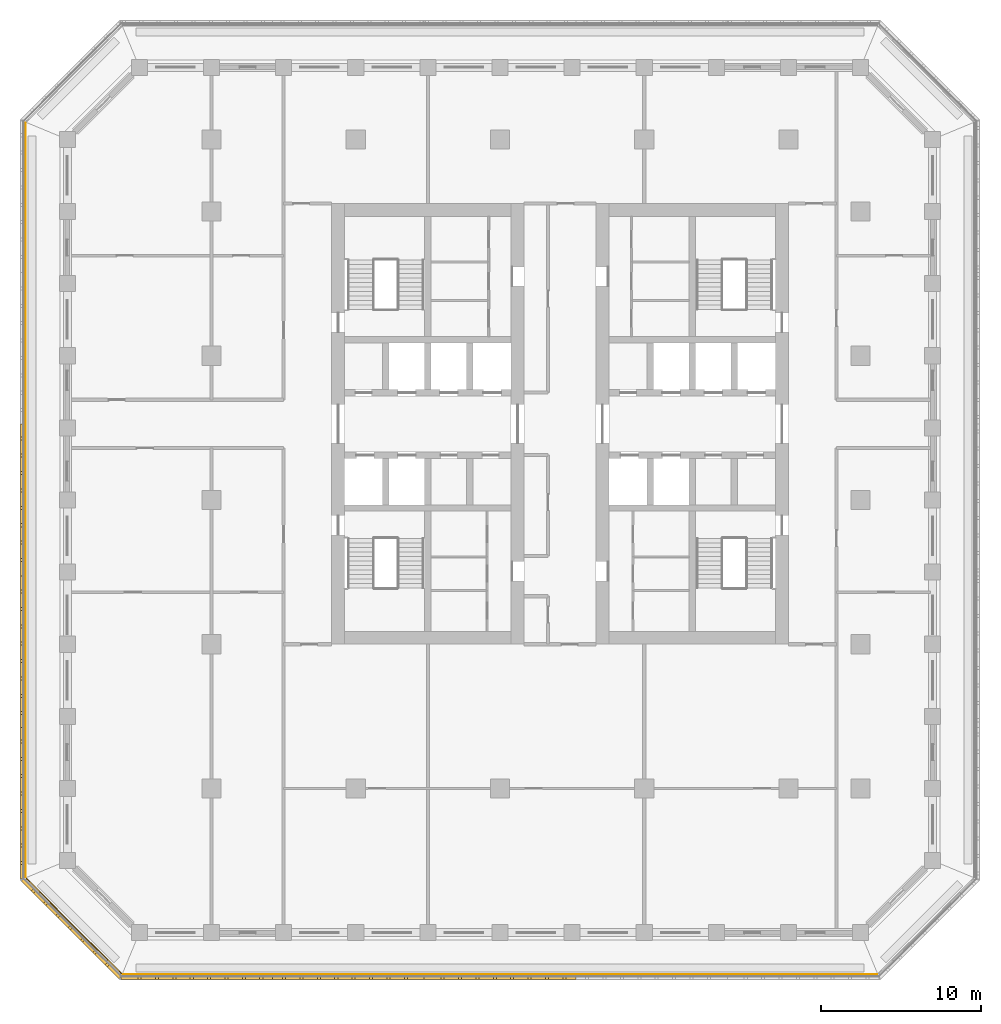
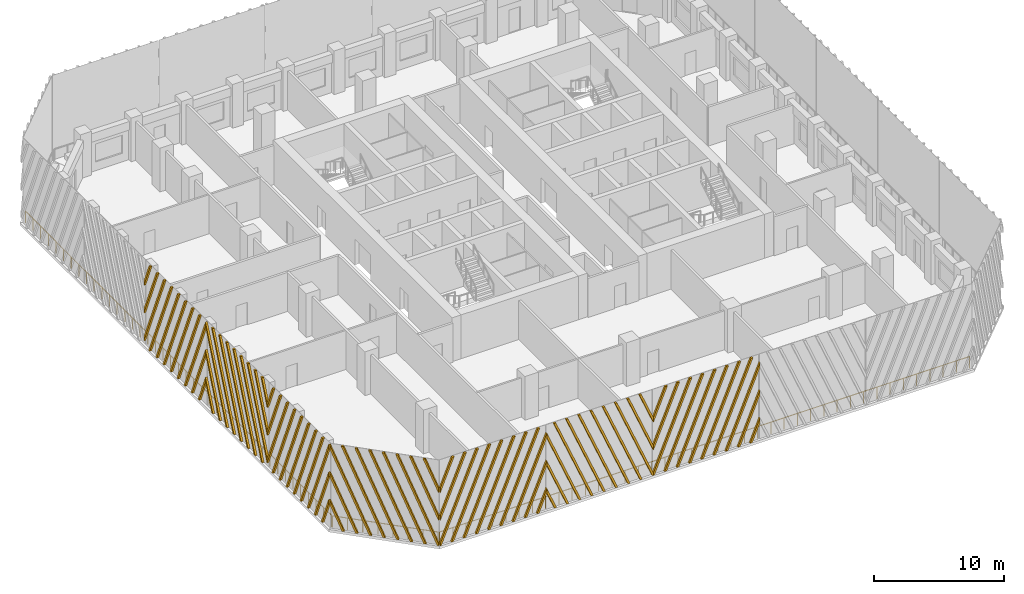
# One storey, part 9 of 16: 7 shading devices, 3 railings.
"""IFC4 building model written with IfcOpenShell, lengths in metres."""

from ifc_helpers import new_model, si_unit, direction, frame, origin, origin_2d, place, context, subcontext, project, spatial, polyline, circle, outline, extrude, source, transform, mapped, material, type_object, element, save


model = new_model("IFC4")

# Units and contexts
model_context = context("Model", 3, precision=1e-05, world=origin(), true_north=direction((0.0, 1.0)))
body_context = subcontext(model_context, "Body", "Model", "MODEL_VIEW")
ifc_project = project(units=[si_unit("LENGTHUNIT", "METRE"), si_unit("AREAUNIT", "SQUARE_METRE"), si_unit("VOLUMEUNIT", "CUBIC_METRE"), si_unit("PLANEANGLEUNIT", "RADIAN"), si_unit("MASSUNIT", "GRAM", prefix="KILO")], contexts=[model_context])

# Site, building, storey
site_placement = place(None, origin())
site = spatial("IfcSite", under=ifc_project, at=site_placement, CompositionType="ELEMENT")
building_placement = place(site_placement, origin())
building = spatial("IfcBuilding", under=site, at=building_placement, Name="Corbel Stack Research Tower", CompositionType="ELEMENT")
storey_placement = place(building_placement, frame((0.0, 0.0, 165.0)))
storey = spatial("IfcBuildingStorey", under=building, at=storey_placement, Name="L37", CompositionType="ELEMENT", Elevation=165.0)

# Railings
ifc_material_1 = material(Name="Powder-coated steel guard", Category="steel")
railing_type = type_object("IfcRailingType", Name="Steel and glass guard 1100", PredefinedType="GUARDRAIL", material=ifc_material_1)
railing_1_placement = place(storey_placement, frame((-23.50537109375, -29.60009765625, 0.0)))
element("IfcRailing", 1, at=railing_1_placement, inside=storey, type_object=railing_type, Name="Loggia guard L37 S", PredefinedType="GUARDRAIL", context=body_context, shape_type="SweptSolid", body=[
    extrude(circle(Radius=0.02392578125, at=origin_2d()), frame((0.0, 0.0, 1.076171875), z_axis=(1.0, 0.0, 0.0), x_axis=(0.0, 1.0, 0.0)), (0.0, 0.0, 1.0), 47.0107421875),
    extrude(circle(Radius=0.02099609375, at=origin_2d()), origin(), (0.0, 0.0, 1.0), 1.052001953125),
    extrude(circle(Radius=0.02099609375, at=origin_2d()), frame((1.17529296875, 0.0, 0.0)), (0.0, 0.0, 1.0), 1.052001953125),
    extrude(circle(Radius=0.02099609375, at=origin_2d()), frame((2.3505859375, 0.0, 0.0)), (0.0, 0.0, 1.0), 1.052001953125),
    extrude(circle(Radius=0.02099609375, at=origin_2d()), frame((3.52587890625, 0.0, 0.0)), (0.0, 0.0, 1.0), 1.052001953125),
    extrude(circle(Radius=0.02099609375, at=origin_2d()), frame((4.701171875, 0.0, 0.0)), (0.0, 0.0, 1.0), 1.052001953125),
    extrude(circle(Radius=0.02099609375, at=origin_2d()), frame((5.87646484375, 0.0, 0.0)), (0.0, 0.0, 1.0), 1.052001953125),
    extrude(circle(Radius=0.02099609375, at=origin_2d()), frame((7.051513671875, 0.0, 0.0)), (0.0, 0.0, 1.0), 1.052001953125),
    extrude(circle(Radius=0.02099609375, at=origin_2d()), frame((8.226806640625, 0.0, 0.0)), (0.0, 0.0, 1.0), 1.052001953125),
    extrude(circle(Radius=0.02099609375, at=origin_2d()), frame((9.402099609375, 0.0, 0.0)), (0.0, 0.0, 1.0), 1.052001953125),
    extrude(circle(Radius=0.02099609375, at=origin_2d()), frame((10.577392578125, 0.0, 0.0)), (0.0, 0.0, 1.0), 1.052001953125),
    extrude(circle(Radius=0.02099609375, at=origin_2d()), frame((11.752685546875, 0.0, 0.0)), (0.0, 0.0, 1.0), 1.052001953125),
    extrude(circle(Radius=0.02099609375, at=origin_2d()), frame((12.927978515625, 0.0, 0.0)), (0.0, 0.0, 1.0), 1.052001953125),
    extrude(circle(Radius=0.02099609375, at=origin_2d()), frame((14.103271484375, 0.0, 0.0)), (0.0, 0.0, 1.0), 1.052001953125),
    extrude(circle(Radius=0.02099609375, at=origin_2d()), frame((15.278564453125, 0.0, 0.0)), (0.0, 0.0, 1.0), 1.052001953125),
    extrude(circle(Radius=0.02099609375, at=origin_2d()), frame((16.453857421875, 0.0, 0.0)), (0.0, 0.0, 1.0), 1.052001953125),
    extrude(circle(Radius=0.02099609375, at=origin_2d()), frame((17.62890625, 0.0, 0.0)), (0.0, 0.0, 1.0), 1.052001953125),
    extrude(circle(Radius=0.02099609375, at=origin_2d()), frame((18.80419921875, 0.0, 0.0)), (0.0, 0.0, 1.0), 1.052001953125),
    extrude(circle(Radius=0.02099609375, at=origin_2d()), frame((19.9794921875, 0.0, 0.0)), (0.0, 0.0, 1.0), 1.052001953125),
    extrude(circle(Radius=0.02099609375, at=origin_2d()), frame((21.15478515625, 0.0, 0.0)), (0.0, 0.0, 1.0), 1.052001953125),
    extrude(circle(Radius=0.02099609375, at=origin_2d()), frame((22.330078125, 0.0, 0.0)), (0.0, 0.0, 1.0), 1.052001953125),
    extrude(circle(Radius=0.02099609375, at=origin_2d()), frame((23.50537109375, 0.0, 0.0)), (0.0, 0.0, 1.0), 1.052001953125),
    extrude(circle(Radius=0.02099609375, at=origin_2d()), frame((24.6806640625, 0.0, 0.0)), (0.0, 0.0, 1.0), 1.052001953125),
    extrude(circle(Radius=0.02099609375, at=origin_2d()), frame((25.85595703125, 0.0, 0.0)), (0.0, 0.0, 1.0), 1.052001953125),
    extrude(circle(Radius=0.02099609375, at=origin_2d()), frame((27.03125, 0.0, 0.0)), (0.0, 0.0, 1.0), 1.052001953125),
    extrude(circle(Radius=0.02099609375, at=origin_2d()), frame((28.20654296875, 0.0, 0.0)), (0.0, 0.0, 1.0), 1.052001953125),
    extrude(circle(Radius=0.02099609375, at=origin_2d()), frame((29.3818359375, 0.0, 0.0)), (0.0, 0.0, 1.0), 1.052001953125),
    extrude(circle(Radius=0.02099609375, at=origin_2d()), frame((30.556884765625, 0.0, 0.0)), (0.0, 0.0, 1.0), 1.052001953125),
    extrude(circle(Radius=0.02099609375, at=origin_2d()), frame((31.732177734375, 0.0, 0.0)), (0.0, 0.0, 1.0), 1.052001953125),
    extrude(circle(Radius=0.02099609375, at=origin_2d()), frame((32.907470703125, 0.0, 0.0)), (0.0, 0.0, 1.0), 1.052001953125),
    extrude(circle(Radius=0.02099609375, at=origin_2d()), frame((34.082763671875, 0.0, 0.0)), (0.0, 0.0, 1.0), 1.052001953125),
    extrude(circle(Radius=0.02099609375, at=origin_2d()), frame((35.258056640625, 0.0, 0.0)), (0.0, 0.0, 1.0), 1.052001953125),
    extrude(circle(Radius=0.02099609375, at=origin_2d()), frame((36.433349609375, 0.0, 0.0)), (0.0, 0.0, 1.0), 1.052001953125),
    extrude(circle(Radius=0.02099609375, at=origin_2d()), frame((37.608642578125, 0.0, 0.0)), (0.0, 0.0, 1.0), 1.052001953125),
    extrude(circle(Radius=0.02099609375, at=origin_2d()), frame((38.783935546875, 0.0, 0.0)), (0.0, 0.0, 1.0), 1.052001953125),
    extrude(circle(Radius=0.02099609375, at=origin_2d()), frame((39.959228515625, 0.0, 0.0)), (0.0, 0.0, 1.0), 1.052001953125),
    extrude(circle(Radius=0.02099609375, at=origin_2d()), frame((41.13427734375, 0.0, 0.0)), (0.0, 0.0, 1.0), 1.052001953125),
    extrude(circle(Radius=0.02099609375, at=origin_2d()), frame((42.3095703125, 0.0, 0.0)), (0.0, 0.0, 1.0), 1.052001953125),
    extrude(circle(Radius=0.02099609375, at=origin_2d()), frame((43.48486328125, 0.0, 0.0)), (0.0, 0.0, 1.0), 1.052001953125),
    extrude(circle(Radius=0.02099609375, at=origin_2d()), frame((44.66015625, 0.0, 0.0)), (0.0, 0.0, 1.0), 1.052001953125),
    extrude(circle(Radius=0.02099609375, at=origin_2d()), frame((45.83544921875, 0.0, 0.0)), (0.0, 0.0, 1.0), 1.052001953125),
    extrude(circle(Radius=0.02099609375, at=origin_2d()), frame((47.0107421875, 0.0, 0.0)), (0.0, 0.0, 1.0), 1.052001953125),
])
railing_2_placement = place(storey_placement, frame((-29.60009765625, 23.50537109375, 0.0)))
element("IfcRailing", 2, at=railing_2_placement, inside=storey, type_object=railing_type, Name="Loggia guard L37 W", PredefinedType="GUARDRAIL", context=body_context, shape_type="SweptSolid", body=[
    extrude(circle(Radius=0.02392578125, at=origin_2d()), frame((0.0, 0.0, 1.076171875), z_axis=(0.0, -1.0, 0.0), x_axis=(1.0, 0.0, 0.0)), (0.0, 0.0, 1.0), 47.0107421875),
    extrude(circle(Radius=0.02099609375, at=origin_2d()), origin(), (0.0, 0.0, 1.0), 1.052001953125),
    extrude(circle(Radius=0.02099609375, at=origin_2d()), frame((0.0, -1.17529296875, 0.0)), (0.0, 0.0, 1.0), 1.052001953125),
    extrude(circle(Radius=0.02099609375, at=origin_2d()), frame((0.0, -2.3505859375, 0.0)), (0.0, 0.0, 1.0), 1.052001953125),
    extrude(circle(Radius=0.02099609375, at=origin_2d()), frame((0.0, -3.52587890625, 0.0)), (0.0, 0.0, 1.0), 1.052001953125),
    extrude(circle(Radius=0.02099609375, at=origin_2d()), frame((0.0, -4.701171875, 0.0)), (0.0, 0.0, 1.0), 1.052001953125),
    extrude(circle(Radius=0.02099609375, at=origin_2d()), frame((0.0, -5.87646484375, 0.0)), (0.0, 0.0, 1.0), 1.052001953125),
    extrude(circle(Radius=0.02099609375, at=origin_2d()), frame((0.0, -7.051513671875, 0.0)), (0.0, 0.0, 1.0), 1.052001953125),
    extrude(circle(Radius=0.02099609375, at=origin_2d()), frame((0.0, -8.226806640625, 0.0)), (0.0, 0.0, 1.0), 1.052001953125),
    extrude(circle(Radius=0.02099609375, at=origin_2d()), frame((0.0, -9.402099609375, 0.0)), (0.0, 0.0, 1.0), 1.052001953125),
    extrude(circle(Radius=0.02099609375, at=origin_2d()), frame((0.0, -10.577392578125, 0.0)), (0.0, 0.0, 1.0), 1.052001953125),
    extrude(circle(Radius=0.02099609375, at=origin_2d()), frame((0.0, -11.752685546875, 0.0)), (0.0, 0.0, 1.0), 1.052001953125),
    extrude(circle(Radius=0.02099609375, at=origin_2d()), frame((0.0, -12.927978515625, 0.0)), (0.0, 0.0, 1.0), 1.052001953125),
    extrude(circle(Radius=0.02099609375, at=origin_2d()), frame((0.0, -14.103271484375, 0.0)), (0.0, 0.0, 1.0), 1.052001953125),
    extrude(circle(Radius=0.02099609375, at=origin_2d()), frame((0.0, -15.278564453125, 0.0)), (0.0, 0.0, 1.0), 1.052001953125),
    extrude(circle(Radius=0.02099609375, at=origin_2d()), frame((0.0, -16.453857421875, 0.0)), (0.0, 0.0, 1.0), 1.052001953125),
    extrude(circle(Radius=0.02099609375, at=origin_2d()), frame((0.0, -17.62890625, 0.0)), (0.0, 0.0, 1.0), 1.052001953125),
    extrude(circle(Radius=0.02099609375, at=origin_2d()), frame((0.0, -18.80419921875, 0.0)), (0.0, 0.0, 1.0), 1.052001953125),
    extrude(circle(Radius=0.02099609375, at=origin_2d()), frame((0.0, -19.9794921875, 0.0)), (0.0, 0.0, 1.0), 1.052001953125),
    extrude(circle(Radius=0.02099609375, at=origin_2d()), frame((0.0, -21.15478515625, 0.0)), (0.0, 0.0, 1.0), 1.052001953125),
    extrude(circle(Radius=0.02099609375, at=origin_2d()), frame((0.0, -22.330078125, 0.0)), (0.0, 0.0, 1.0), 1.052001953125),
    extrude(circle(Radius=0.02099609375, at=origin_2d()), frame((0.0, -23.50537109375, 0.0)), (0.0, 0.0, 1.0), 1.052001953125),
    extrude(circle(Radius=0.02099609375, at=origin_2d()), frame((0.0, -24.6806640625, 0.0)), (0.0, 0.0, 1.0), 1.052001953125),
    extrude(circle(Radius=0.02099609375, at=origin_2d()), frame((0.0, -25.85595703125, 0.0)), (0.0, 0.0, 1.0), 1.052001953125),
    extrude(circle(Radius=0.02099609375, at=origin_2d()), frame((0.0, -27.03125, 0.0)), (0.0, 0.0, 1.0), 1.052001953125),
    extrude(circle(Radius=0.02099609375, at=origin_2d()), frame((0.0, -28.20654296875, 0.0)), (0.0, 0.0, 1.0), 1.052001953125),
    extrude(circle(Radius=0.02099609375, at=origin_2d()), frame((0.0, -29.3818359375, 0.0)), (0.0, 0.0, 1.0), 1.052001953125),
    extrude(circle(Radius=0.02099609375, at=origin_2d()), frame((0.0, -30.556884765625, 0.0)), (0.0, 0.0, 1.0), 1.052001953125),
    extrude(circle(Radius=0.02099609375, at=origin_2d()), frame((0.0, -31.732177734375, 0.0)), (0.0, 0.0, 1.0), 1.052001953125),
    extrude(circle(Radius=0.02099609375, at=origin_2d()), frame((0.0, -32.907470703125, 0.0)), (0.0, 0.0, 1.0), 1.052001953125),
    extrude(circle(Radius=0.02099609375, at=origin_2d()), frame((0.0, -34.082763671875, 0.0)), (0.0, 0.0, 1.0), 1.052001953125),
    extrude(circle(Radius=0.02099609375, at=origin_2d()), frame((0.0, -35.258056640625, 0.0)), (0.0, 0.0, 1.0), 1.052001953125),
    extrude(circle(Radius=0.02099609375, at=origin_2d()), frame((0.0, -36.433349609375, 0.0)), (0.0, 0.0, 1.0), 1.052001953125),
    extrude(circle(Radius=0.02099609375, at=origin_2d()), frame((0.0, -37.608642578125, 0.0)), (0.0, 0.0, 1.0), 1.052001953125),
    extrude(circle(Radius=0.02099609375, at=origin_2d()), frame((0.0, -38.783935546875, 0.0)), (0.0, 0.0, 1.0), 1.052001953125),
    extrude(circle(Radius=0.02099609375, at=origin_2d()), frame((0.0, -39.959228515625, 0.0)), (0.0, 0.0, 1.0), 1.052001953125),
    extrude(circle(Radius=0.02099609375, at=origin_2d()), frame((0.0, -41.13427734375, 0.0)), (0.0, 0.0, 1.0), 1.052001953125),
    extrude(circle(Radius=0.02099609375, at=origin_2d()), frame((0.0, -42.3095703125, 0.0)), (0.0, 0.0, 1.0), 1.052001953125),
    extrude(circle(Radius=0.02099609375, at=origin_2d()), frame((0.0, -43.48486328125, 0.0)), (0.0, 0.0, 1.0), 1.052001953125),
    extrude(circle(Radius=0.02099609375, at=origin_2d()), frame((0.0, -44.66015625, 0.0)), (0.0, 0.0, 1.0), 1.052001953125),
    extrude(circle(Radius=0.02099609375, at=origin_2d()), frame((0.0, -45.83544921875, 0.0)), (0.0, 0.0, 1.0), 1.052001953125),
    extrude(circle(Radius=0.02099609375, at=origin_2d()), frame((0.0, -47.0107421875, 0.0)), (0.0, 0.0, 1.0), 1.052001953125),
])
railing_3_placement = place(storey_placement, frame((-29.54931640625, -23.627685546875, 0.0)))
element("IfcRailing", 3, at=railing_3_placement, inside=storey, type_object=railing_type, Name="Loggia guard L37 SW", PredefinedType="GUARDRAIL", context=body_context, shape_type="SweptSolid", body=[
    extrude(circle(Radius=0.02392578125, at=origin_2d()), frame((0.0, 0.0, 1.076171875), z_axis=(0.707106781187, -0.707106781187, 0.0), x_axis=(0.707106781187, 0.707106781187, 0.0)), (0.0, 0.0, 1.0), 8.37451171875),
    extrude(circle(Radius=0.02099609375, at=origin_2d()), origin(), (0.0, 0.0, 1.0), 1.052001953125),
    extrude(circle(Radius=0.02099609375, at=origin_2d()), frame((0.845947265625, -0.845947265625, 0.0)), (0.0, 0.0, 1.0), 1.052001953125),
    extrude(circle(Radius=0.02099609375, at=origin_2d()), frame((1.69189453125, -1.69189453125, 0.0)), (0.0, 0.0, 1.0), 1.052001953125),
    extrude(circle(Radius=0.02099609375, at=origin_2d()), frame((2.537841796875, -2.537841796875, 0.0)), (0.0, 0.0, 1.0), 1.052001953125),
    extrude(circle(Radius=0.02099609375, at=origin_2d()), frame((3.3837890625, -3.3837890625, 0.0)), (0.0, 0.0, 1.0), 1.052001953125),
    extrude(circle(Radius=0.02099609375, at=origin_2d()), frame((4.229736328125, -4.229736328125, 0.0)), (0.0, 0.0, 1.0), 1.052001953125),
    extrude(circle(Radius=0.02099609375, at=origin_2d()), frame((5.07568359375, -5.07568359375, 0.0)), (0.0, 0.0, 1.0), 1.052001953125),
    extrude(circle(Radius=0.02099609375, at=origin_2d()), frame((5.921630859375, -5.921630859375, 0.0)), (0.0, 0.0, 1.0), 1.052001953125),
])

# Shading devices
ifc_material_2 = material(Name="Precast terracotta", Category="masonry")
shading_device_type = type_object("IfcShadingDeviceType", Name="Terracotta screen panel", PredefinedType="USERDEFINED", material=ifc_material_2)
shared_shape_1 = source(origin(), body_context, "Body", "SweptSolid", [
    extrude(outline(polyline([(1.245849609375, 7.949951171875), (1.055908203125, 7.949951171875), (0.0, 5.421875), (0.0, 4.966796875), (1.245849609375, 7.949951171875)])), frame((0.0, 0.0, 0.0), z_axis=(0.0, -1.0, 0.0), x_axis=(1.0, 0.0, 0.0)), (0.0, 0.0, 1.0), 0.179931640625),
    extrude(outline(polyline([(2.33056640625, 7.949951171875), (2.140380859375, 7.949951171875), (0.0, 2.82470703125), (0.0, 2.36962890625), (2.33056640625, 7.949951171875)])), frame((0.0, 0.0, 0.0), z_axis=(0.0, -1.0, 0.0), x_axis=(1.0, 0.0, 0.0)), (0.0, 0.0, 1.0), 0.179931640625),
    extrude(outline(polyline([(0.094970703125, 0.0), (3.415283203125, 7.949951171875), (3.22509765625, 7.949951171875), (0.0, 0.2275390625), (0.0, 0.0), (0.094970703125, 0.0)])), frame((0.0, 0.0, 0.0), z_axis=(0.0, -1.0, 0.0), x_axis=(1.0, 0.0, 0.0)), (0.0, 0.0, 1.0), 0.179931640625),
    extrude(outline(polyline([(1.1796875, 0.0), (4.499755859375, 7.949951171875), (4.309814453125, 7.949951171875), (0.98974609375, 0.0), (1.1796875, 0.0)])), frame((0.0, 0.0, 0.0), z_axis=(0.0, -1.0, 0.0), x_axis=(1.0, 0.0, 0.0)), (0.0, 0.0, 1.0), 0.179931640625),
    extrude(outline(polyline([(2.264404296875, 0.0), (5.58447265625, 7.949951171875), (5.39453125, 7.949951171875), (2.07421875, 0.0), (2.264404296875, 0.0)])), frame((0.0, 0.0, 0.0), z_axis=(0.0, -1.0, 0.0), x_axis=(1.0, 0.0, 0.0)), (0.0, 0.0, 1.0), 0.179931640625),
    extrude(outline(polyline([(3.34912109375, 0.0), (6.669189453125, 7.949951171875), (6.479248046875, 7.949951171875), (3.158935546875, 0.0), (3.34912109375, 0.0)])), frame((0.0, 0.0, 0.0), z_axis=(0.0, -1.0, 0.0), x_axis=(1.0, 0.0, 0.0)), (0.0, 0.0, 1.0), 0.179931640625),
    extrude(outline(polyline([(4.43359375, 0.0), (7.75390625, 7.949951171875), (7.563720703125, 7.949951171875), (4.24365234375, 0.0), (4.43359375, 0.0)])), frame((0.0, 0.0, 0.0), z_axis=(0.0, -1.0, 0.0), x_axis=(1.0, 0.0, 0.0)), (0.0, 0.0, 1.0), 0.179931640625),
    extrude(outline(polyline([(5.518310546875, 0.0), (8.83837890625, 7.949951171875), (8.6484375, 7.949951171875), (5.328369140625, 0.0), (5.518310546875, 0.0)])), frame((0.0, 0.0, 0.0), z_axis=(0.0, -1.0, 0.0), x_axis=(1.0, 0.0, 0.0)), (0.0, 0.0, 1.0), 0.179931640625),
    extrude(outline(polyline([(6.60302734375, 0.0), (9.45556640625, 6.83056640625), (9.45556640625, 7.285400390625), (6.4130859375, 0.0), (6.60302734375, 0.0)])), frame((0.0, 0.0, 0.0), z_axis=(0.0, -1.0, 0.0), x_axis=(1.0, 0.0, 0.0)), (0.0, 0.0, 1.0), 0.179931640625),
    extrude(outline(polyline([(7.687744140625, 0.0), (9.45556640625, 4.2333984375), (9.45556640625, 4.688232421875), (7.497802734375, 0.0), (7.687744140625, 0.0)])), frame((0.0, 0.0, 0.0), z_axis=(0.0, -1.0, 0.0), x_axis=(1.0, 0.0, 0.0)), (0.0, 0.0, 1.0), 0.179931640625),
    extrude(outline(polyline([(8.772216796875, 0.0), (9.45556640625, 1.635986328125), (9.45556640625, 2.091064453125), (8.582275390625, 0.0), (8.772216796875, 0.0)])), frame((0.0, 0.0, 0.0), z_axis=(0.0, -1.0, 0.0), x_axis=(1.0, 0.0, 0.0)), (0.0, 0.0, 1.0), 0.179931640625),
])
for number, where, z_axis, x_axis, name in (
    (4, (-23.63916015625, -29.75, 0.0), (0.0, 0.0, 1.0), (1.0, 0.0, 0.0), "Terracotta screen L37 S1"),
    (5, (-4.727783203125, -29.75, 0.0), (0.0, 0.0, 1.0), (1.0, 0.0, 0.0), "Terracotta screen L37 S3"),
):
    element("IfcShadingDevice", number, at=place(storey_placement, frame(where, z_axis=z_axis, x_axis=x_axis)), inside=storey, type_object=shading_device_type, Name=name, ObjectType="SCREEN", PredefinedType="USERDEFINED", context=body_context, shape_type="MappedRepresentation", body=[
        mapped(shared_shape_1, transform((0.0, 0.0, 0.0))),
    ])
shared_shape_2 = source(origin(), body_context, "Body", "SweptSolid", [
    extrude(outline(polyline([(0.873291015625, 0.0), (0.0, 2.091064453125), (0.0, 1.635986328125), (0.683349609375, 0.0), (0.873291015625, 0.0)])), frame((0.0, 0.0, 0.0), z_axis=(0.0, -1.0, 0.0), x_axis=(1.0, 0.0, 0.0)), (0.0, 0.0, 1.0), 0.179931640625),
    extrude(outline(polyline([(1.9580078125, 0.0), (0.0, 4.688232421875), (0.0, 4.2333984375), (1.76806640625, 0.0), (1.9580078125, 0.0)])), frame((0.0, 0.0, 0.0), z_axis=(0.0, -1.0, 0.0), x_axis=(1.0, 0.0, 0.0)), (0.0, 0.0, 1.0), 0.179931640625),
    extrude(outline(polyline([(3.04248046875, 0.0), (0.0, 7.285400390625), (0.0, 6.83056640625), (2.8525390625, 0.0), (3.04248046875, 0.0)])), frame((0.0, 0.0, 0.0), z_axis=(0.0, -1.0, 0.0), x_axis=(1.0, 0.0, 0.0)), (0.0, 0.0, 1.0), 0.179931640625),
    extrude(outline(polyline([(4.127197265625, 0.0), (0.80712890625, 7.949951171875), (0.6171875, 7.949951171875), (3.937255859375, 0.0), (4.127197265625, 0.0)])), frame((0.0, 0.0, 0.0), z_axis=(0.0, -1.0, 0.0), x_axis=(1.0, 0.0, 0.0)), (0.0, 0.0, 1.0), 0.179931640625),
    extrude(outline(polyline([(5.2119140625, 0.0), (1.891845703125, 7.949951171875), (1.701904296875, 7.949951171875), (5.02197265625, 0.0), (5.2119140625, 0.0)])), frame((0.0, 0.0, 0.0), z_axis=(0.0, -1.0, 0.0), x_axis=(1.0, 0.0, 0.0)), (0.0, 0.0, 1.0), 0.179931640625),
    extrude(outline(polyline([(6.296630859375, 0.0), (2.9765625, 7.949951171875), (2.78662109375, 7.949951171875), (6.106689453125, 0.0), (6.296630859375, 0.0)])), frame((0.0, 0.0, 0.0), z_axis=(0.0, -1.0, 0.0), x_axis=(1.0, 0.0, 0.0)), (0.0, 0.0, 1.0), 0.179931640625),
    extrude(outline(polyline([(7.38134765625, 0.0), (4.06103515625, 7.949951171875), (3.87109375, 7.949951171875), (7.19140625, 0.0), (7.38134765625, 0.0)])), frame((0.0, 0.0, 0.0), z_axis=(0.0, -1.0, 0.0), x_axis=(1.0, 0.0, 0.0)), (0.0, 0.0, 1.0), 0.179931640625),
    extrude(outline(polyline([(8.466064453125, 0.0), (5.145751953125, 7.949951171875), (4.955810546875, 7.949951171875), (8.27587890625, 0.0), (8.466064453125, 0.0)])), frame((0.0, 0.0, 0.0), z_axis=(0.0, -1.0, 0.0), x_axis=(1.0, 0.0, 0.0)), (0.0, 0.0, 1.0), 0.179931640625),
    extrude(outline(polyline([(9.45556640625, 0.0), (9.45556640625, 0.2275390625), (6.23046875, 7.949951171875), (6.04052734375, 7.949951171875), (9.360595703125, 0.0), (9.45556640625, 0.0)])), frame((0.0, 0.0, 0.0), z_axis=(0.0, -1.0, 0.0), x_axis=(1.0, 0.0, 0.0)), (0.0, 0.0, 1.0), 0.179931640625),
    extrude(outline(polyline([(7.315185546875, 7.949951171875), (7.125, 7.949951171875), (9.45556640625, 2.36962890625), (9.45556640625, 2.82470703125), (7.315185546875, 7.949951171875)])), frame((0.0, 0.0, 0.0), z_axis=(0.0, -1.0, 0.0), x_axis=(1.0, 0.0, 0.0)), (0.0, 0.0, 1.0), 0.179931640625),
    extrude(outline(polyline([(8.39990234375, 7.949951171875), (8.209716796875, 7.949951171875), (9.45556640625, 4.966796875), (9.45556640625, 5.421875), (8.39990234375, 7.949951171875)])), frame((0.0, 0.0, 0.0), z_axis=(0.0, -1.0, 0.0), x_axis=(1.0, 0.0, 0.0)), (0.0, 0.0, 1.0), 0.179931640625),
])
shading_device_1_placement = place(storey_placement, frame((-14.18359375, -29.75, 0.0), z_axis=(0.0, 0.0, 1.0), x_axis=(1.0, 0.0, 0.0)))
element("IfcShadingDevice", 6, at=shading_device_1_placement, inside=storey, type_object=shading_device_type, Name="Terracotta screen L37 S2", ObjectType="SCREEN", PredefinedType="USERDEFINED", context=body_context, shape_type="MappedRepresentation", body=[
    mapped(shared_shape_2, transform((0.0, 0.0, 0.0))),
])
shared_shape_3 = source(origin(), body_context, "Body", "SweptSolid", [
    extrude(outline(polyline([(0.974609375, 7.949951171875), (0.78466796875, 7.949951171875), (0.0, 6.071044921875), (0.0, 5.6162109375), (0.974609375, 7.949951171875)])), frame((0.0, 0.0, 0.0), z_axis=(0.0, -1.0, 0.0), x_axis=(1.0, 0.0, 0.0)), (0.0, 0.0, 1.0), 0.179931640625),
    extrude(outline(polyline([(2.059326171875, 7.949951171875), (1.869384765625, 7.949951171875), (0.0, 3.473876953125), (0.0, 3.01904296875), (2.059326171875, 7.949951171875)])), frame((0.0, 0.0, 0.0), z_axis=(0.0, -1.0, 0.0), x_axis=(1.0, 0.0, 0.0)), (0.0, 0.0, 1.0), 0.179931640625),
    extrude(outline(polyline([(3.14404296875, 7.949951171875), (2.9541015625, 7.949951171875), (0.0, 0.876708984375), (0.0, 0.421875), (3.14404296875, 7.949951171875)])), frame((0.0, 0.0, 0.0), z_axis=(0.0, -1.0, 0.0), x_axis=(1.0, 0.0, 0.0)), (0.0, 0.0, 1.0), 0.179931640625),
    extrude(outline(polyline([(0.908447265625, 0.0), (4.228759765625, 7.949951171875), (4.038818359375, 7.949951171875), (0.718505859375, 0.0), (0.908447265625, 0.0)])), frame((0.0, 0.0, 0.0), z_axis=(0.0, -1.0, 0.0), x_axis=(1.0, 0.0, 0.0)), (0.0, 0.0, 1.0), 0.179931640625),
    extrude(outline(polyline([(1.9931640625, 0.0), (5.313232421875, 7.949951171875), (5.123291015625, 7.949951171875), (1.80322265625, 0.0), (1.9931640625, 0.0)])), frame((0.0, 0.0, 0.0), z_axis=(0.0, -1.0, 0.0), x_axis=(1.0, 0.0, 0.0)), (0.0, 0.0, 1.0), 0.179931640625),
    extrude(outline(polyline([(3.077880859375, 0.0), (6.39794921875, 7.949951171875), (6.2080078125, 7.949951171875), (2.8876953125, 0.0), (3.077880859375, 0.0)])), frame((0.0, 0.0, 0.0), z_axis=(0.0, -1.0, 0.0), x_axis=(1.0, 0.0, 0.0)), (0.0, 0.0, 1.0), 0.179931640625),
    extrude(outline(polyline([(4.16259765625, 0.0), (7.482666015625, 7.949951171875), (7.292724609375, 7.949951171875), (3.972412109375, 0.0), (4.16259765625, 0.0)])), frame((0.0, 0.0, 0.0), z_axis=(0.0, -1.0, 0.0), x_axis=(1.0, 0.0, 0.0)), (0.0, 0.0, 1.0), 0.179931640625),
    extrude(outline(polyline([(5.247314453125, 0.0), (8.5673828125, 7.949951171875), (8.377197265625, 7.949951171875), (5.05712890625, 0.0), (5.247314453125, 0.0)])), frame((0.0, 0.0, 0.0), z_axis=(0.0, -1.0, 0.0), x_axis=(1.0, 0.0, 0.0)), (0.0, 0.0, 1.0), 0.179931640625),
    extrude(outline(polyline([(6.331787109375, 0.0), (9.45556640625, 7.479736328125), (9.45556640625, 7.934814453125), (6.141845703125, 0.0), (6.331787109375, 0.0)])), frame((0.0, 0.0, 0.0), z_axis=(0.0, -1.0, 0.0), x_axis=(1.0, 0.0, 0.0)), (0.0, 0.0, 1.0), 0.179931640625),
    extrude(outline(polyline([(7.41650390625, 0.0), (9.45556640625, 4.882568359375), (9.45556640625, 5.337646484375), (7.2265625, 0.0), (7.41650390625, 0.0)])), frame((0.0, 0.0, 0.0), z_axis=(0.0, -1.0, 0.0), x_axis=(1.0, 0.0, 0.0)), (0.0, 0.0, 1.0), 0.179931640625),
    extrude(outline(polyline([(8.501220703125, 0.0), (9.45556640625, 2.285400390625), (9.45556640625, 2.740478515625), (8.311279296875, 0.0), (8.501220703125, 0.0)])), frame((0.0, 0.0, 0.0), z_axis=(0.0, -1.0, 0.0), x_axis=(1.0, 0.0, 0.0)), (0.0, 0.0, 1.0), 0.179931640625),
])
for number, where, z_axis, x_axis, name in (
    (7, (-29.75, 4.727783203125, 0.0), (0.0, 0.0, 1.0), (0.0, -1.0, 0.0), "Terracotta screen L37 W3"),
    (8, (-29.75, -14.18359375, 0.0), (0.0, 0.0, 1.0), (0.0, -1.0, 0.0), "Terracotta screen L37 W5"),
):
    element("IfcShadingDevice", number, at=place(storey_placement, frame(where, z_axis=z_axis, x_axis=x_axis)), inside=storey, type_object=shading_device_type, Name=name, ObjectType="SCREEN", PredefinedType="USERDEFINED", context=body_context, shape_type="MappedRepresentation", body=[
        mapped(shared_shape_3, transform((0.0, 0.0, 0.0))),
    ])
shared_shape_4 = source(origin(), body_context, "Body", "SweptSolid", [
    extrude(outline(polyline([(1.14453125, 0.0), (0.0, 2.740478515625), (0.0, 2.285400390625), (0.95458984375, 0.0), (1.14453125, 0.0)])), frame((0.0, 0.0, 0.0), z_axis=(0.0, -1.0, 0.0), x_axis=(1.0, 0.0, 0.0)), (0.0, 0.0, 1.0), 0.179931640625),
    extrude(outline(polyline([(2.22900390625, 0.0), (0.0, 5.337646484375), (0.0, 4.882568359375), (2.0390625, 0.0), (2.22900390625, 0.0)])), frame((0.0, 0.0, 0.0), z_axis=(0.0, -1.0, 0.0), x_axis=(1.0, 0.0, 0.0)), (0.0, 0.0, 1.0), 0.179931640625),
    extrude(outline(polyline([(3.313720703125, 0.0), (0.0, 7.934814453125), (0.0, 7.479736328125), (3.123779296875, 0.0), (3.313720703125, 0.0)])), frame((0.0, 0.0, 0.0), z_axis=(0.0, -1.0, 0.0), x_axis=(1.0, 0.0, 0.0)), (0.0, 0.0, 1.0), 0.179931640625),
    extrude(outline(polyline([(4.3984375, 0.0), (1.078369140625, 7.949951171875), (0.88818359375, 7.949951171875), (4.20849609375, 0.0), (4.3984375, 0.0)])), frame((0.0, 0.0, 0.0), z_axis=(0.0, -1.0, 0.0), x_axis=(1.0, 0.0, 0.0)), (0.0, 0.0, 1.0), 0.179931640625),
    extrude(outline(polyline([(5.483154296875, 0.0), (2.1630859375, 7.949951171875), (1.972900390625, 7.949951171875), (5.293212890625, 0.0), (5.483154296875, 0.0)])), frame((0.0, 0.0, 0.0), z_axis=(0.0, -1.0, 0.0), x_axis=(1.0, 0.0, 0.0)), (0.0, 0.0, 1.0), 0.179931640625),
    extrude(outline(polyline([(6.56787109375, 0.0), (3.24755859375, 7.949951171875), (3.0576171875, 7.949951171875), (6.377685546875, 0.0), (6.56787109375, 0.0)])), frame((0.0, 0.0, 0.0), z_axis=(0.0, -1.0, 0.0), x_axis=(1.0, 0.0, 0.0)), (0.0, 0.0, 1.0), 0.179931640625),
    extrude(outline(polyline([(7.652587890625, 0.0), (4.332275390625, 7.949951171875), (4.142333984375, 7.949951171875), (7.46240234375, 0.0), (7.652587890625, 0.0)])), frame((0.0, 0.0, 0.0), z_axis=(0.0, -1.0, 0.0), x_axis=(1.0, 0.0, 0.0)), (0.0, 0.0, 1.0), 0.179931640625),
    extrude(outline(polyline([(8.737060546875, 0.0), (5.4169921875, 7.949951171875), (5.22705078125, 7.949951171875), (8.547119140625, 0.0), (8.737060546875, 0.0)])), frame((0.0, 0.0, 0.0), z_axis=(0.0, -1.0, 0.0), x_axis=(1.0, 0.0, 0.0)), (0.0, 0.0, 1.0), 0.179931640625),
    extrude(outline(polyline([(6.501708984375, 7.949951171875), (6.3115234375, 7.949951171875), (9.45556640625, 0.421875), (9.45556640625, 0.876708984375), (6.501708984375, 7.949951171875)])), frame((0.0, 0.0, 0.0), z_axis=(0.0, -1.0, 0.0), x_axis=(1.0, 0.0, 0.0)), (0.0, 0.0, 1.0), 0.179931640625),
    extrude(outline(polyline([(7.586181640625, 7.949951171875), (7.396240234375, 7.949951171875), (9.45556640625, 3.01904296875), (9.45556640625, 3.473876953125), (7.586181640625, 7.949951171875)])), frame((0.0, 0.0, 0.0), z_axis=(0.0, -1.0, 0.0), x_axis=(1.0, 0.0, 0.0)), (0.0, 0.0, 1.0), 0.179931640625),
    extrude(outline(polyline([(8.6708984375, 7.949951171875), (8.48095703125, 7.949951171875), (9.45556640625, 5.6162109375), (9.45556640625, 6.071044921875), (8.6708984375, 7.949951171875)])), frame((0.0, 0.0, 0.0), z_axis=(0.0, -1.0, 0.0), x_axis=(1.0, 0.0, 0.0)), (0.0, 0.0, 1.0), 0.179931640625),
])
shading_device_2_placement = place(storey_placement, frame((-29.75, -4.727783203125, 0.0), z_axis=(0.0, 0.0, 1.0), x_axis=(0.0, -1.0, 0.0)))
element("IfcShadingDevice", 9, at=shading_device_2_placement, inside=storey, type_object=shading_device_type, Name="Terracotta screen L37 W4", ObjectType="SCREEN", PredefinedType="USERDEFINED", context=body_context, shape_type="MappedRepresentation", body=[
    mapped(shared_shape_4, transform((0.0, 0.0, 0.0))),
])
shared_shape_5 = source(origin(), body_context, "Body", "SweptSolid", [
    extrude(outline(polyline([(1.14453125, 0.0), (0.0, 2.740478515625), (0.0, 2.285400390625), (0.95458984375, 0.0), (1.14453125, 0.0)])), frame((0.0, 0.0, 0.0), z_axis=(0.0, -1.0, 0.0), x_axis=(1.0, 0.0, 0.0)), (0.0, 0.0, 1.0), 0.179931640625),
    extrude(outline(polyline([(2.22900390625, 0.0), (0.0, 5.337646484375), (0.0, 4.882568359375), (2.0390625, 0.0), (2.22900390625, 0.0)])), frame((0.0, 0.0, 0.0), z_axis=(0.0, -1.0, 0.0), x_axis=(1.0, 0.0, 0.0)), (0.0, 0.0, 1.0), 0.179931640625),
    extrude(outline(polyline([(3.313720703125, 0.0), (0.0, 7.934814453125), (0.0, 7.479736328125), (3.123779296875, 0.0), (3.313720703125, 0.0)])), frame((0.0, 0.0, 0.0), z_axis=(0.0, -1.0, 0.0), x_axis=(1.0, 0.0, 0.0)), (0.0, 0.0, 1.0), 0.179931640625),
    extrude(outline(polyline([(4.3984375, 0.0), (1.078369140625, 7.949951171875), (0.88818359375, 7.949951171875), (4.20849609375, 0.0), (4.3984375, 0.0)])), frame((0.0, 0.0, 0.0), z_axis=(0.0, -1.0, 0.0), x_axis=(1.0, 0.0, 0.0)), (0.0, 0.0, 1.0), 0.179931640625),
    extrude(outline(polyline([(5.483154296875, 0.0), (2.1630859375, 7.949951171875), (1.972900390625, 7.949951171875), (5.293212890625, 0.0), (5.483154296875, 0.0)])), frame((0.0, 0.0, 0.0), z_axis=(0.0, -1.0, 0.0), x_axis=(1.0, 0.0, 0.0)), (0.0, 0.0, 1.0), 0.179931640625),
    extrude(outline(polyline([(6.56787109375, 0.0), (3.24755859375, 7.949951171875), (3.0576171875, 7.949951171875), (6.377685546875, 0.0), (6.56787109375, 0.0)])), frame((0.0, 0.0, 0.0), z_axis=(0.0, -1.0, 0.0), x_axis=(1.0, 0.0, 0.0)), (0.0, 0.0, 1.0), 0.179931640625),
    extrude(outline(polyline([(7.652587890625, 0.0), (4.332275390625, 7.949951171875), (4.142333984375, 7.949951171875), (7.46240234375, 0.0), (7.652587890625, 0.0)])), frame((0.0, 0.0, 0.0), z_axis=(0.0, -1.0, 0.0), x_axis=(1.0, 0.0, 0.0)), (0.0, 0.0, 1.0), 0.179931640625),
    extrude(outline(polyline([(8.64208984375, 0.0), (8.64208984375, 0.2275390625), (5.4169921875, 7.949951171875), (5.22705078125, 7.949951171875), (8.547119140625, 0.0), (8.64208984375, 0.0)])), frame((0.0, 0.0, 0.0), z_axis=(0.0, -1.0, 0.0), x_axis=(1.0, 0.0, 0.0)), (0.0, 0.0, 1.0), 0.179931640625),
    extrude(outline(polyline([(6.501708984375, 7.949951171875), (6.3115234375, 7.949951171875), (8.64208984375, 2.36962890625), (8.64208984375, 2.82470703125), (6.501708984375, 7.949951171875)])), frame((0.0, 0.0, 0.0), z_axis=(0.0, -1.0, 0.0), x_axis=(1.0, 0.0, 0.0)), (0.0, 0.0, 1.0), 0.179931640625),
    extrude(outline(polyline([(7.586181640625, 7.949951171875), (7.396240234375, 7.949951171875), (8.64208984375, 4.966796875), (8.64208984375, 5.421875), (7.586181640625, 7.949951171875)])), frame((0.0, 0.0, 0.0), z_axis=(0.0, -1.0, 0.0), x_axis=(1.0, 0.0, 0.0)), (0.0, 0.0, 1.0), 0.179931640625),
])
shading_device_3_placement = place(storey_placement, frame((-29.75, -23.63916015625, 0.0), z_axis=(0.0, 0.0, 1.0), x_axis=(0.707106781187, -0.707106781187, 0.0)))
element("IfcShadingDevice", 10, at=shading_device_3_placement, inside=storey, type_object=shading_device_type, Name="Terracotta screen L37 SW1", ObjectType="SCREEN", PredefinedType="USERDEFINED", context=body_context, shape_type="MappedRepresentation", body=[
    mapped(shared_shape_5, transform((0.0, 0.0, 0.0))),
])

save(model, "model.ifc")
